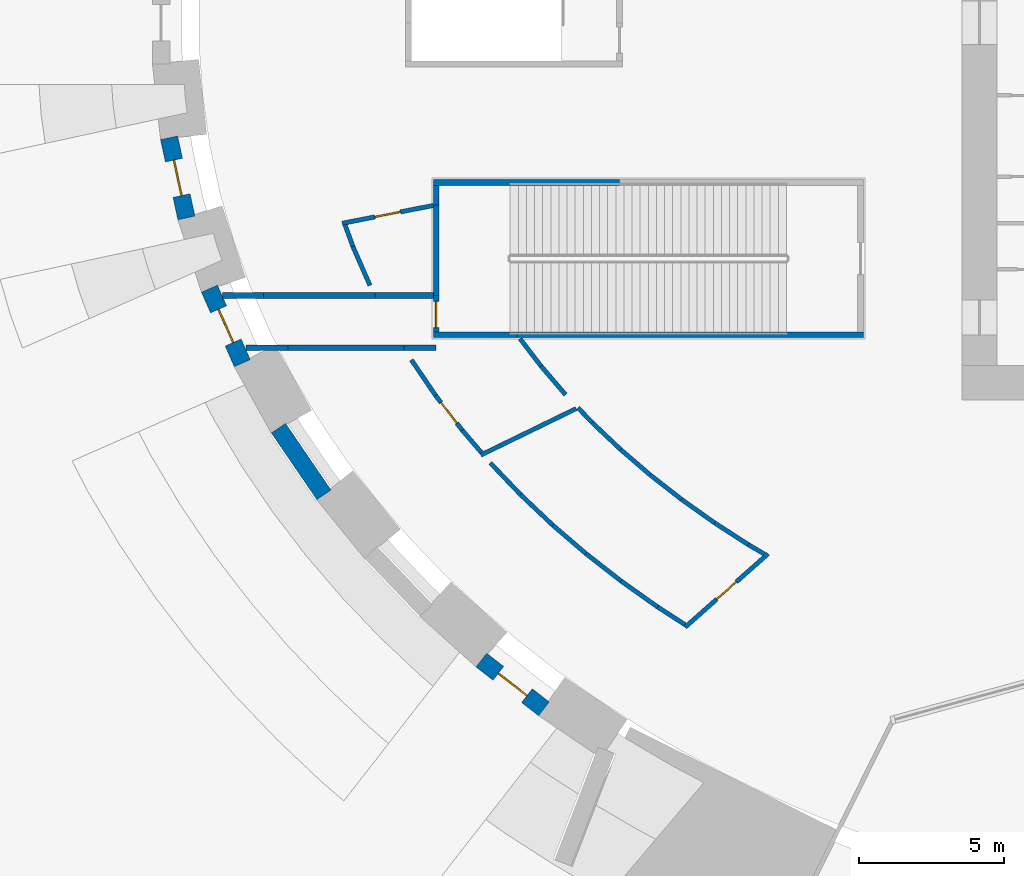
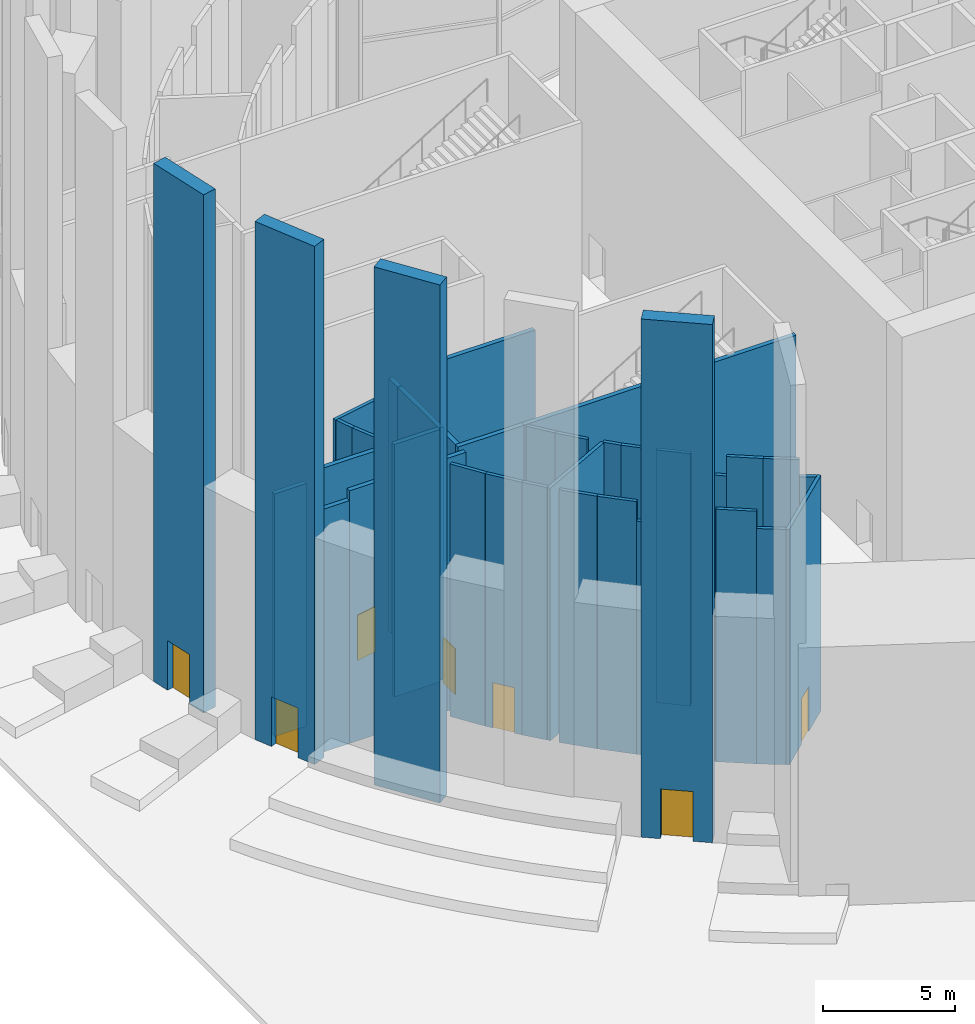
# One storey, part 7 of 25: 39 walls, 7 doors, 7 openings.
"""IFC4 building model written with IfcOpenShell, lengths in metres."""

from ifc_helpers import new_model, si_unit, direction, frame, frame_2d, origin, place, context, subcontext, project, spatial, rectangle, extrude, source, transform, mapped, material, layer, layer_set, type_object, element, fill, save


model = new_model("IFC4")

# Units and contexts
model_context = context("Model", 3, precision=1e-05, world=origin(), true_north=direction((0.0, 1.0)))
body_context = subcontext(model_context, "Body", "Model", "MODEL_VIEW")
ifc_project = project(units=[si_unit("LENGTHUNIT", "METRE"), si_unit("AREAUNIT", "SQUARE_METRE"), si_unit("VOLUMEUNIT", "CUBIC_METRE"), si_unit("PLANEANGLEUNIT", "RADIAN"), si_unit("MASSUNIT", "GRAM", prefix="KILO")], contexts=[model_context])

# Site, building, storey
site_placement = place(None, origin())
site = spatial("IfcSite", under=ifc_project, at=site_placement, CompositionType="ELEMENT")
building_placement = place(site_placement, origin())
building = spatial("IfcBuilding", under=site, at=building_placement, Name="Embergate Tower", CompositionType="ELEMENT")
storey_placement = place(building_placement, origin())
storey = spatial("IfcBuildingStorey", under=building, at=storey_placement, Name="L00", CompositionType="ELEMENT", Elevation=0.0)

# Wall, opening, door
ifc_material_1 = material(Name="Brick masonry, solid, with terracotta coping", Category="masonry")
ifc_layer_1 = layer(ifc_material_1, 0.60009765625)
ifc_layer_set_1 = layer_set([ifc_layer_1], Name="Brick masonry, solid, with terracotta coping")
wall_type_1 = type_object("IfcWallType", Name="Masonry base wall", PredefinedType="SOLIDWALL", material=ifc_layer_set_1)
shared_shape_1 = source(origin(), body_context, "Body", "SweptSolid", [
    extrude(rectangle(XDim=2.734375, YDim=0.60009765625, at=frame_2d((1.3671875, 0.0))), origin(), (0.0, 0.0, 1.0), 24.0),
])
wall_1_placement = place(storey_placement, frame((-28.406005859375, -23.63720703125, 0.0), z_axis=(0.0, 0.0, 1.0), x_axis=(-0.789015561302, 0.614373212325, 0.0)))
wall_1 = element("IfcWall", 1, at=wall_1_placement, inside=storey, type_object=wall_type_1, Name="Masonry base wall 27", PredefinedType="SOLIDWALL", context=body_context, shape_type="MappedRepresentation", body=[
    mapped(shared_shape_1, transform((0.0, 0.0, 0.0))),
])
shared_shape_2 = source(origin(), body_context, "Body", "SweptSolid", [
    extrude(rectangle(XDim=1.25, YDim=2.300048828125, at=frame_2d((0.625, 1.14990234375))), frame((0.0, 0.31005859375, 0.0), z_axis=(0.0, -1.0, 0.0), x_axis=(1.0, 0.0, 0.0)), (0.0, 0.0, 1.0), 0.6201171875),
])
opening_1_placement = place(wall_1_placement, frame((0.7421875, 0.0, 0.0)))
opening_1 = element("IfcOpeningElement", 2, at=opening_1_placement, cuts=wall_1, Name="Opening XD", PredefinedType="OPENING", context=body_context, shape_type="MappedRepresentation", body=[
    mapped(shared_shape_2, transform((0.0, 0.0, 0.0))),
])
ifc_material_2 = material(Name="Aluminium and toughened glass", Category="aluminium")
door_type_1 = type_object("IfcDoorType", Name="Exit door leaf", OperationType="SINGLE_SWING_LEFT", PredefinedType="DOOR", material=ifc_material_2)
shared_shape_3 = source(origin(), body_context, "Body", "SweptSolid", [
    extrude(rectangle(XDim=1.25, YDim=2.300048828125, at=frame_2d((0.625, 1.14990234375))), frame((0.0, 0.02490234375, 0.0), z_axis=(0.0, -1.0, 0.0), x_axis=(1.0, 0.0, 0.0)), (0.0, 0.0, 1.0), 0.050048828125),
])
door_1_placement = place(opening_1_placement, origin())
door_1 = element("IfcDoor", 3, at=door_1_placement, inside=storey, type_object=door_type_1, Name="Exit door ST4 27.1", OperationType="SINGLE_SWING_LEFT", OverallHeight=2.300048828125, OverallWidth=1.25, PredefinedType="DOOR", context=body_context, shape_type="MappedRepresentation", body=[
    mapped(shared_shape_3, transform((0.0, 0.0, 0.0))),
])
fill(opening_1, door_1)

# Wall
shared_shape_4 = source(origin(), body_context, "Body", "SweptSolid", [
    extrude(rectangle(XDim=2.781982421875, YDim=0.60009765625, at=frame_2d((1.39111328125, 0.0))), origin(), (0.0, 0.0, 1.0), 24.0),
])
wall_2_placement = place(storey_placement, frame((-35.98583984375, -16.265380859375, 0.0), z_axis=(0.0, 0.0, 1.0), x_axis=(-0.563478413483, 0.826130787187, 0.0)))
element("IfcWall", 4, at=wall_2_placement, inside=storey, type_object=wall_type_1, Name="Masonry base wall 25", PredefinedType="SOLIDWALL", context=body_context, shape_type="MappedRepresentation", body=[
    mapped(shared_shape_4, transform((0.0, 0.0, 0.0))),
])

# Wall, opening, door
shared_shape_5 = source(origin(), body_context, "Body", "SweptSolid", [
    extrude(rectangle(XDim=2.8076171875, YDim=0.60009765625, at=frame_2d((1.40380859375, 0.0))), origin(), (0.0, 0.0, 1.0), 24.0),
])
wall_3_placement = place(storey_placement, frame((-38.7998046875, -11.730712890625, 0.0), z_axis=(0.0, 0.0, 1.0), x_axis=(-0.402852255888, 0.915265021688, 0.0)))
wall_3 = element("IfcWall", 5, at=wall_3_placement, inside=storey, type_object=wall_type_1, Name="Masonry base wall 24", PredefinedType="SOLIDWALL", context=body_context, shape_type="MappedRepresentation", body=[
    mapped(shared_shape_5, transform((0.0, 0.0, 0.0))),
])
opening_2_placement = place(wall_3_placement, frame((0.77880859375, 0.0, 0.0)))
opening_2 = element("IfcOpeningElement", 6, at=opening_2_placement, cuts=wall_3, Name="Opening XD", PredefinedType="OPENING", context=body_context, shape_type="MappedRepresentation", body=[
    mapped(shared_shape_2, transform((0.0, 0.0, 0.0))),
])
door_2_placement = place(opening_2_placement, origin())
door_2 = element("IfcDoor", 7, at=door_2_placement, inside=storey, type_object=door_type_1, Name="Exit door exit 24.1", OperationType="SINGLE_SWING_LEFT", OverallHeight=2.300048828125, OverallWidth=1.25, PredefinedType="DOOR", context=body_context, shape_type="MappedRepresentation", body=[
    mapped(shared_shape_3, transform((0.0, 0.0, 0.0))),
])
fill(opening_2, door_2)

shared_shape_6 = source(origin(), body_context, "Body", "SweptSolid", [
    extrude(rectangle(XDim=2.827392578125, YDim=0.60009765625, at=frame_2d((1.41357421875, 0.0))), origin(), (0.0, 0.0, 1.0), 24.0),
])
wall_4_placement = place(storey_placement, frame((-40.724365234375, -6.726806640625, 0.0), z_axis=(0.0, 0.0, 1.0), x_axis=(-0.211120984775, 0.977459937689, 0.0)))
wall_4 = element("IfcWall", 8, at=wall_4_placement, inside=storey, type_object=wall_type_1, Name="Masonry base wall 23", PredefinedType="SOLIDWALL", context=body_context, shape_type="MappedRepresentation", body=[
    mapped(shared_shape_6, transform((0.0, 0.0, 0.0))),
])
opening_3_placement = place(wall_4_placement, frame((0.788818359375, 0.0, 0.0)))
opening_3 = element("IfcOpeningElement", 9, at=opening_3_placement, cuts=wall_4, Name="Opening XD", PredefinedType="OPENING", context=body_context, shape_type="MappedRepresentation", body=[
    mapped(shared_shape_2, transform((0.0, 0.0, 0.0))),
])
door_3_placement = place(opening_3_placement, origin())
door_3 = element("IfcDoor", 10, at=door_3_placement, inside=storey, type_object=door_type_1, Name="Exit door exit 23.1", OperationType="SINGLE_SWING_LEFT", OverallHeight=2.300048828125, OverallWidth=1.25, PredefinedType="DOOR", context=body_context, shape_type="MappedRepresentation", body=[
    mapped(shared_shape_3, transform((0.0, 0.0, 0.0))),
])
fill(opening_3, door_3)

# Walls
ifc_material_3 = material(Name="Blockwork, plastered", Category="masonry")
ifc_layer_2 = layer(ifc_material_3, 0.199951171875)
ifc_layer_set_2 = layer_set([ifc_layer_2], Name="Blockwork, plastered")
wall_type_2 = type_object("IfcWallType", Name="Fire partition wall 200 block", PredefinedType="PARTITIONING", material=ifc_layer_set_2)
shared_shape_7 = source(origin(), body_context, "Body", "SweptSolid", [
    extrude(rectangle(XDim=1.408203125, YDim=0.199951171875, at=frame_2d((0.7041015625, 0.0))), origin(), (0.0, 0.0, 1.0), 11.25),
])
wall_5_placement = place(storey_placement, frame((-39.47509765625, -9.39990234375, 0.0), z_axis=(0.0, 0.0, 1.0), x_axis=(1.0, 0.0, 0.0)))
element("IfcWall", 11, at=wall_5_placement, inside=storey, type_object=wall_type_2, Name="Partition 001", PredefinedType="PARTITIONING", context=body_context, shape_type="MappedRepresentation", body=[
    mapped(shared_shape_7, transform((0.0, 0.0, 0.0))),
])
shared_shape_8 = source(origin(), body_context, "Body", "SweptSolid", [
    extrude(rectangle(XDim=1.449951171875, YDim=0.199951171875, at=frame_2d((0.72509765625, 0.0))), origin(), (0.0, 0.0, 1.0), 11.25),
])
wall_6_placement = place(storey_placement, frame((-37.22607421875, -11.199951171875, 0.0), z_axis=(0.0, 0.0, 1.0), x_axis=(-1.0, 0.0, 0.0)))
element("IfcWall", 12, at=wall_6_placement, inside=storey, type_object=wall_type_2, Name="Partition 005", PredefinedType="PARTITIONING", context=body_context, shape_type="MappedRepresentation", body=[
    mapped(shared_shape_8, transform((0.0, 0.0, 0.0))),
])
shared_shape_9 = source(origin(), body_context, "Body", "SweptSolid", [
    extrude(rectangle(XDim=3.847900390625, YDim=0.199951171875, at=frame_2d((1.923828125, 0.0))), origin(), (0.0, 0.0, 1.0), 11.699951171875),
])
wall_7_placement = place(storey_placement, frame((-38.06689453125, -9.39990234375, 0.0), z_axis=(0.0, 0.0, 1.0), x_axis=(1.0, 0.0, 0.0)))
element("IfcWall", 13, at=wall_7_placement, inside=storey, type_object=wall_type_2, Name="Partition 003", PredefinedType="PARTITIONING", context=body_context, shape_type="MappedRepresentation", body=[
    mapped(shared_shape_9, transform((0.0, 0.0, 0.0))),
])
shared_shape_10 = source(origin(), body_context, "Body", "SweptSolid", [
    extrude(rectangle(XDim=4.005126953125, YDim=0.199951171875, at=frame_2d((2.00244140625, 0.0))), origin(), (0.0, 0.0, 1.0), 11.699951171875),
])
wall_8_placement = place(storey_placement, frame((-33.220947265625, -11.199951171875, 0.0), z_axis=(0.0, 0.0, 1.0), x_axis=(-1.0, 0.0, 0.0)))
element("IfcWall", 14, at=wall_8_placement, inside=storey, type_object=wall_type_2, Name="Partition 014", PredefinedType="PARTITIONING", context=body_context, shape_type="MappedRepresentation", body=[
    mapped(shared_shape_10, transform((0.0, 0.0, 0.0))),
])

# Wall, opening, door
ifc_material_4 = material(Name="Plasterboard on steel stud", Category="steel")
ifc_layer_3 = layer(ifc_material_4, 0.14990234375)
ifc_layer_set_3 = layer_set([ifc_layer_3], Name="Plasterboard on steel stud")
wall_type_3 = type_object("IfcWallType", Name="Partition wall 150 board", PredefinedType="PARTITIONING", material=ifc_layer_set_3)
shared_shape_11 = source(origin(), body_context, "Body", "SweptSolid", [
    extrude(rectangle(XDim=3.199462890625, YDim=0.14990234375, at=frame_2d((1.599609375, 0.0))), origin(), (0.0, 0.0, 1.0), 11.699951171875),
])
wall_9_placement = place(storey_placement, frame((-35.35791015625, -6.909912109375, 0.0), z_axis=(0.0, 0.0, 1.0), x_axis=(0.98141109372, 0.191917339298, 0.0)))
wall_9 = element("IfcWall", 15, at=wall_9_placement, inside=storey, type_object=wall_type_3, Name="Partition 007", PredefinedType="PARTITIONING", context=body_context, shape_type="MappedRepresentation", body=[
    mapped(shared_shape_11, transform((0.0, 0.0, 0.0))),
])
shared_shape_12 = source(origin(), body_context, "Body", "SweptSolid", [
    extrude(rectangle(XDim=0.89990234375, YDim=2.10009765625, at=frame_2d((0.449951171875, 1.050048828125))), frame((0.0, 0.0849609375, 0.0), z_axis=(0.0, -1.0, 0.0), x_axis=(1.0, 0.0, 0.0)), (0.0, 0.0, 1.0), 0.169921875),
])
opening_4_placement = place(wall_9_placement, frame((1.14892578125, 0.0, 0.0)))
opening_4 = element("IfcOpeningElement", 16, at=opening_4_placement, cuts=wall_9, Name="Opening DS-012", PredefinedType="OPENING", context=body_context, shape_type="MappedRepresentation", body=[
    mapped(shared_shape_12, transform((0.0, 0.0, 0.0))),
])
ifc_material_5 = material(Name="Timber door leaf, steel frame", Category="steel")
door_type_2 = type_object("IfcDoorType", Name="Single door 900x2100", OperationType="SINGLE_SWING_LEFT", PredefinedType="DOOR", material=ifc_material_5)
shared_shape_13 = source(origin(), body_context, "Body", "SweptSolid", [
    extrude(rectangle(XDim=0.89990234375, YDim=2.10009765625, at=frame_2d((0.449951171875, 1.050048828125))), frame((0.0, 0.02490234375, 0.0), z_axis=(0.0, -1.0, 0.0), x_axis=(1.0, 0.0, 0.0)), (0.0, 0.0, 1.0), 0.050048828125),
])
door_4_placement = place(opening_4_placement, origin())
door_4 = element("IfcDoor", 17, at=door_4_placement, inside=storey, type_object=door_type_2, Name="Door to Tea kiosk", OperationType="SINGLE_SWING_LEFT", OverallHeight=2.10009765625, OverallWidth=0.89990234375, PredefinedType="DOOR", context=body_context, shape_type="MappedRepresentation", body=[
    mapped(shared_shape_13, transform((0.0, 0.0, 0.0))),
])
fill(opening_4, door_4)

# Walls
shared_shape_14 = source(origin(), body_context, "Body", "SweptSolid", [
    extrude(rectangle(XDim=0.79443359375, YDim=0.14990234375, at=frame_2d((0.397216796875, 0.0))), origin(), (0.0, 0.0, 1.0), 11.699951171875),
])
wall_10_placement = place(storey_placement, frame((-34.987060546875, -7.712890625, 0.0), z_axis=(0.0, 0.0, 1.0), x_axis=(-0.341101469558, 0.940026482321, 0.0)))
element("IfcWall", 18, at=wall_10_placement, inside=storey, type_object=wall_type_3, Name="Partition 009", PredefinedType="PARTITIONING", context=body_context, shape_type="MappedRepresentation", body=[
    mapped(shared_shape_14, transform((0.0, 0.0, 0.0))),
])
shared_shape_15 = source(origin(), body_context, "Body", "SweptSolid", [
    extrude(rectangle(XDim=1.458984375, YDim=0.14990234375, at=frame_2d((0.7294921875, 0.0))), origin(), (0.0, 0.0, 1.0), 11.699951171875),
])
wall_11_placement = place(storey_placement, frame((-34.40087890625, -9.049072265625, 0.0), z_axis=(0.0, 0.0, 1.0), x_axis=(-0.401740274044, 0.915753652579, 0.0)))
element("IfcWall", 19, at=wall_11_placement, inside=storey, type_object=wall_type_3, Name="Partition 011", PredefinedType="PARTITIONING", context=body_context, shape_type="MappedRepresentation", body=[
    mapped(shared_shape_15, transform((0.0, 0.0, 0.0))),
])
shared_shape_16 = source(origin(), body_context, "Body", "SweptSolid", [
    extrude(rectangle(XDim=1.9990234375, YDim=0.199951171875, at=frame_2d((0.99951171875, 0.0))), origin(), (0.0, 0.0, 1.0), 11.699951171875),
])
wall_12_placement = place(storey_placement, frame((-34.218994140625, -9.39990234375, 0.0), z_axis=(0.0, 0.0, 1.0), x_axis=(1.0, 0.0, 0.0)))
element("IfcWall", 20, at=wall_12_placement, inside=storey, type_object=wall_type_2, Name="Partition 012", PredefinedType="PARTITIONING", context=body_context, shape_type="MappedRepresentation", body=[
    mapped(shared_shape_16, transform((0.0, 0.0, 0.0))),
])
shared_shape_17 = source(origin(), body_context, "Body", "SweptSolid", [
    extrude(rectangle(XDim=1.100830078125, YDim=0.199951171875, at=frame_2d((0.55029296875, 0.0))), origin(), (0.0, 0.0, 1.0), 11.699951171875),
])
wall_13_placement = place(storey_placement, frame((-32.1201171875, -11.199951171875, 0.0), z_axis=(0.0, 0.0, 1.0), x_axis=(-1.0, 0.0, 0.0)))
element("IfcWall", 21, at=wall_13_placement, inside=storey, type_object=wall_type_2, Name="Partition 022", PredefinedType="PARTITIONING", context=body_context, shape_type="MappedRepresentation", body=[
    mapped(shared_shape_17, transform((0.0, 0.0, 0.0))),
])
shared_shape_18 = source(origin(), body_context, "Body", "SweptSolid", [
    extrude(rectangle(XDim=1.48291015625, YDim=0.14990234375, at=frame_2d((0.741455078125, 0.0))), origin(), (0.0, 0.0, 1.0), 11.699951171875),
])
wall_14_placement = place(storey_placement, frame((-32.138916015625, -12.842041015625, 0.0), z_axis=(0.0, 0.0, 1.0), x_axis=(-0.56242710462, 0.826846873362, 0.0)))
element("IfcWall", 22, at=wall_14_placement, inside=storey, type_object=wall_type_3, Name="Partition 020", PredefinedType="PARTITIONING", context=body_context, shape_type="MappedRepresentation", body=[
    mapped(shared_shape_18, transform((0.0, 0.0, 0.0))),
])

# Wall, opening, door
shared_shape_19 = source(origin(), body_context, "Body", "SweptSolid", [
    extrude(rectangle(XDim=1.509765625, YDim=0.14990234375, at=frame_2d((0.7548828125, 0.0))), origin(), (0.0, 0.0, 1.0), 11.699951171875),
])
wall_15_placement = place(storey_placement, frame((-31.219970703125, -14.0400390625, 0.0), z_axis=(0.0, 0.0, 1.0), x_axis=(-0.608631808194, 0.793452785019, 0.0)))
wall_15 = element("IfcWall", 23, at=wall_15_placement, inside=storey, type_object=wall_type_3, Name="Partition 033", PredefinedType="PARTITIONING", context=body_context, shape_type="MappedRepresentation", body=[
    mapped(shared_shape_19, transform((0.0, 0.0, 0.0))),
])
opening_5_placement = place(wall_15_placement, frame((0.304931640625, 0.0, 0.0)))
opening_5 = element("IfcOpeningElement", 24, at=opening_5_placement, cuts=wall_15, Name="Opening DS-013", PredefinedType="OPENING", context=body_context, shape_type="MappedRepresentation", body=[
    mapped(shared_shape_12, transform((0.0, 0.0, 0.0))),
])
door_5_placement = place(opening_5_placement, origin())
door_5 = element("IfcDoor", 25, at=door_5_placement, inside=storey, type_object=door_type_2, Name="Door to Tea kiosk", OperationType="SINGLE_SWING_LEFT", OverallHeight=2.10009765625, OverallWidth=0.89990234375, PredefinedType="DOOR", context=body_context, shape_type="MappedRepresentation", body=[
    mapped(shared_shape_13, transform((0.0, 0.0, 0.0))),
])
fill(opening_5, door_5)

# Wall
ifc_material_6 = material(Name="Concrete C40", Category="concrete")
ifc_layer_4 = layer(ifc_material_6, 0.199951171875)
ifc_layer_set_4 = layer_set([ifc_layer_4], Name="Concrete C40")
wall_type_4 = type_object("IfcWallType", Name="Stair enclosure wall RC 200", PredefinedType="STANDARD", material=ifc_layer_set_4)
shared_shape_20 = source(origin(), body_context, "Body", "SweptSolid", [
    extrude(rectangle(XDim=2.888916015625, YDim=0.199951171875, at=frame_2d((1.4443359375, 0.0))), origin(), (0.0, 0.0, 1.0), 11.699951171875),
])
wall_16_placement = place(storey_placement, frame((-32.219970703125, -10.75, 0.0), z_axis=(0.0, 0.0, 1.0), x_axis=(1.0, 0.0, 0.0)))
element("IfcWall", 26, at=wall_16_placement, inside=storey, type_object=wall_type_4, Name="Stair wall 023", PredefinedType="STANDARD", context=body_context, shape_type="MappedRepresentation", body=[
    mapped(shared_shape_20, transform((0.0, 0.0, 0.0))),
])

# Wall, opening, door
shared_shape_21 = source(origin(), body_context, "Body", "SweptSolid", [
    extrude(rectangle(XDim=1.25, YDim=0.199951171875, at=frame_2d((0.625, 0.0))), origin(), (0.0, 0.0, 1.0), 11.699951171875),
])
wall_17_placement = place(storey_placement, frame((-32.1201171875, -9.39990234375, 0.0), z_axis=(0.0, 0.0, 1.0), x_axis=(0.0, -1.0, 0.0)))
wall_17 = element("IfcWall", 27, at=wall_17_placement, inside=storey, type_object=wall_type_4, Name="Stair wall 024", PredefinedType="STANDARD", context=body_context, shape_type="MappedRepresentation", body=[
    mapped(shared_shape_21, transform((0.0, 0.0, 0.0))),
])
shared_shape_22 = source(origin(), body_context, "Body", "SweptSolid", [
    extrude(rectangle(XDim=0.89990234375, YDim=2.10009765625, at=frame_2d((0.449951171875, 1.050048828125))), frame((0.0, 0.10986328125, 0.0), z_axis=(0.0, -1.0, 0.0), x_axis=(1.0, 0.0, 0.0)), (0.0, 0.0, 1.0), 0.219970703125),
])
opening_6_placement = place(wall_17_placement, frame((0.199951171875, 0.0, 0.0)))
opening_6 = element("IfcOpeningElement", 28, at=opening_6_placement, cuts=wall_17, Name="Opening DS-003", PredefinedType="OPENING", context=body_context, shape_type="MappedRepresentation", body=[
    mapped(shared_shape_22, transform((0.0, 0.0, 0.0))),
])
door_6_placement = place(opening_6_placement, origin())
door_6 = element("IfcDoor", 29, at=door_6_placement, inside=storey, type_object=door_type_2, Name="Door to Stair exit passage", OperationType="SINGLE_SWING_LEFT", OverallHeight=2.10009765625, OverallWidth=0.89990234375, PredefinedType="DOOR", context=body_context, shape_type="MappedRepresentation", body=[
    mapped(shared_shape_13, transform((0.0, 0.0, 0.0))),
])
fill(opening_6, door_6)

# Walls
shared_shape_23 = source(origin(), body_context, "Body", "SweptSolid", [
    extrude(rectangle(XDim=3.122802734375, YDim=0.199951171875, at=frame_2d((1.5615234375, 0.0))), origin(), (0.0, 0.0, 1.0), 11.699951171875),
])
wall_18_placement = place(storey_placement, frame((-32.1201171875, -6.277099609375, 0.0), z_axis=(0.0, 0.0, 1.0), x_axis=(0.0, -1.0, 0.0)))
element("IfcWall", 30, at=wall_18_placement, inside=storey, type_object=wall_type_4, Name="Stair wall 025", PredefinedType="STANDARD", context=body_context, shape_type="MappedRepresentation", body=[
    mapped(shared_shape_23, transform((0.0, 0.0, 0.0))),
])
shared_shape_24 = source(origin(), body_context, "Body", "SweptSolid", [
    extrude(rectangle(XDim=0.677001953125, YDim=0.199951171875, at=frame_2d((0.33837890625, 0.0))), origin(), (0.0, 0.0, 1.0), 11.699951171875),
])
wall_19_placement = place(storey_placement, frame((-32.1201171875, -6.277099609375, 0.0), z_axis=(0.0, 0.0, 1.0), x_axis=(0.0, 1.0, 0.0)))
element("IfcWall", 31, at=wall_19_placement, inside=storey, type_object=wall_type_4, Name="Stair wall 026", PredefinedType="STANDARD", context=body_context, shape_type="MappedRepresentation", body=[
    mapped(shared_shape_24, transform((0.0, 0.0, 0.0))),
])
shared_shape_25 = source(origin(), body_context, "Body", "SweptSolid", [
    extrude(rectangle(XDim=6.419921875, YDim=0.199951171875, at=frame_2d((3.2099609375, 0.0))), origin(), (0.0, 0.0, 1.0), 11.699951171875),
])
wall_20_placement = place(storey_placement, frame((-32.219970703125, -5.5, 0.0), z_axis=(0.0, 0.0, 1.0), x_axis=(1.0, 0.0, 0.0)))
element("IfcWall", 32, at=wall_20_placement, inside=storey, type_object=wall_type_4, Name="Stair wall 027", PredefinedType="STANDARD", context=body_context, shape_type="MappedRepresentation", body=[
    mapped(shared_shape_25, transform((0.0, 0.0, 0.0))),
])
shared_shape_26 = source(origin(), body_context, "Body", "SweptSolid", [
    extrude(rectangle(XDim=1.0068359375, YDim=0.14990234375, at=frame_2d((0.50341796875, 0.0))), origin(), (0.0, 0.0, 1.0), 11.699951171875),
])
wall_21_placement = place(storey_placement, frame((-30.56396484375, -14.803955078125, 0.0), z_axis=(0.0, 0.0, 1.0), x_axis=(-0.651489952996, 0.758657261974, 0.0)))
element("IfcWall", 33, at=wall_21_placement, inside=storey, type_object=wall_type_3, Name="Partition 035", PredefinedType="PARTITIONING", context=body_context, shape_type="MappedRepresentation", body=[
    mapped(shared_shape_26, transform((0.0, 0.0, 0.0))),
])
shared_shape_27 = source(origin(), body_context, "Body", "SweptSolid", [
    extrude(rectangle(XDim=11.93115234375, YDim=0.199951171875, at=frame_2d((5.965576171875, 0.0))), origin(), (0.0, 0.0, 1.0), 11.699951171875),
])
wall_22_placement = place(storey_placement, frame((-17.39990234375, -10.75, 0.0), z_axis=(0.0, 0.0, 1.0), x_axis=(-1.0, 0.0, 0.0)))
element("IfcWall", 34, at=wall_22_placement, inside=storey, type_object=wall_type_4, Name="Stair wall 077", PredefinedType="STANDARD", context=body_context, shape_type="MappedRepresentation", body=[
    mapped(shared_shape_27, transform((0.0, 0.0, 0.0))),
])
shared_shape_28 = source(origin(), body_context, "Body", "SweptSolid", [
    extrude(rectangle(XDim=1.192626953125, YDim=0.14990234375, at=frame_2d((0.59619140625, 0.0))), origin(), (0.0, 0.0, 1.0), 11.699951171875),
])
wall_23_placement = place(storey_placement, frame((-29.22998046875, -10.885986328125, 0.0), z_axis=(0.0, 0.0, 1.0), x_axis=(0.608839758708, -0.793293229655, 0.0)))
element("IfcWall", 35, at=wall_23_placement, inside=storey, type_object=wall_type_3, Name="Partition 039", PredefinedType="PARTITIONING", context=body_context, shape_type="MappedRepresentation", body=[
    mapped(shared_shape_28, transform((0.0, 0.0, 0.0))),
])
shared_shape_29 = source(origin(), body_context, "Body", "SweptSolid", [
    extrude(rectangle(XDim=1.5078125, YDim=0.14990234375, at=frame_2d((0.75390625, 0.0))), origin(), (0.0, 0.0, 1.0), 11.699951171875),
])
wall_24_placement = place(storey_placement, frame((-29.215087890625, -16.25390625, 0.0), z_axis=(0.0, 0.0, 1.0), x_axis=(-0.690398724504, 0.723429057478, 0.0)))
element("IfcWall", 36, at=wall_24_placement, inside=storey, type_object=wall_type_3, Name="Partition 040", PredefinedType="PARTITIONING", context=body_context, shape_type="MappedRepresentation", body=[
    mapped(shared_shape_29, transform((0.0, 0.0, 0.0))),
])
shared_shape_30 = source(origin(), body_context, "Body", "SweptSolid", [
    extrude(rectangle(XDim=1.294921875, YDim=0.14990234375, at=frame_2d((0.6474609375, 0.0))), origin(), (0.0, 0.0, 1.0), 11.699951171875),
])
wall_25_placement = place(storey_placement, frame((-28.50390625, -11.83203125, 0.0), z_axis=(0.0, 0.0, 1.0), x_axis=(0.651024243625, -0.759056937398, 0.0)))
element("IfcWall", 37, at=wall_25_placement, inside=storey, type_object=wall_type_3, Name="Partition 042", PredefinedType="PARTITIONING", context=body_context, shape_type="MappedRepresentation", body=[
    mapped(shared_shape_30, transform((0.0, 0.0, 0.0))),
])
shared_shape_31 = source(origin(), body_context, "Body", "SweptSolid", [
    extrude(rectangle(XDim=1.53515625, YDim=0.14990234375, at=frame_2d((0.767578125, 0.0))), origin(), (0.0, 0.0, 1.0), 11.699951171875),
])
wall_26_placement = place(storey_placement, frame((-28.10107421875, -17.31005859375, 0.0), z_axis=(0.0, 0.0, 1.0), x_axis=(-0.72570188564, 0.68800928277, 0.0)))
element("IfcWall", 38, at=wall_26_placement, inside=storey, type_object=wall_type_3, Name="Partition 044", PredefinedType="PARTITIONING", context=body_context, shape_type="MappedRepresentation", body=[
    mapped(shared_shape_31, transform((0.0, 0.0, 0.0))),
])
shared_shape_32 = source(origin(), body_context, "Body", "SweptSolid", [
    extrude(rectangle(XDim=3.6494140625, YDim=0.14990234375, at=frame_2d((1.82470703125, 0.0))), origin(), (0.0, 0.0, 1.0), 11.699951171875),
])
wall_27_placement = place(storey_placement, frame((-27.301025390625, -13.2958984375, 0.0), z_axis=(0.0, 0.0, 1.0), x_axis=(-0.899021608529, -0.437904267388, 0.0)))
element("IfcWall", 39, at=wall_27_placement, inside=storey, type_object=wall_type_3, Name="Partition 047", PredefinedType="PARTITIONING", context=body_context, shape_type="MappedRepresentation", body=[
    mapped(shared_shape_32, transform((0.0, 0.0, 0.0))),
])
shared_shape_33 = source(origin(), body_context, "Body", "SweptSolid", [
    extrude(rectangle(XDim=0.707763671875, YDim=0.14990234375, at=frame_2d((0.35400390625, 0.0))), origin(), (0.0, 0.0, 1.0), 11.699951171875),
])
wall_28_placement = place(storey_placement, frame((-27.23388671875, -13.262939453125, 0.0), z_axis=(0.0, 0.0, 1.0), x_axis=(0.690533169303, -0.723300727286, 0.0)))
element("IfcWall", 40, at=wall_28_placement, inside=storey, type_object=wall_type_3, Name="Partition 048", PredefinedType="PARTITIONING", context=body_context, shape_type="MappedRepresentation", body=[
    mapped(shared_shape_33, transform((0.0, 0.0, 0.0))),
])
shared_shape_34 = source(origin(), body_context, "Body", "SweptSolid", [
    extrude(rectangle(XDim=1.50341796875, YDim=0.14990234375, at=frame_2d((0.751708984375, 0.0))), origin(), (0.0, 0.0, 1.0), 10.800048828125),
])
wall_29_placement = place(storey_placement, frame((-26.9599609375, -18.2890625, 0.0), z_axis=(0.0, 0.0, 1.0), x_axis=(-0.758958509903, 0.651138986888, 0.0)))
element("IfcWall", 41, at=wall_29_placement, inside=storey, type_object=wall_type_3, Name="Partition 051", PredefinedType="PARTITIONING", context=body_context, shape_type="MappedRepresentation", body=[
    mapped(shared_shape_34, transform((0.0, 0.0, 0.0))),
])
shared_shape_35 = source(origin(), body_context, "Body", "SweptSolid", [
    extrude(rectangle(XDim=1.35888671875, YDim=0.14990234375, at=frame_2d((0.679443359375, 0.0))), origin(), (0.0, 0.0, 1.0), 11.699951171875),
])
wall_30_placement = place(storey_placement, frame((-26.7451171875, -13.77490234375, 0.0), z_axis=(0.0, 0.0, 1.0), x_axis=(0.726330235595, -0.687345901901, 0.0)))
element("IfcWall", 42, at=wall_30_placement, inside=storey, type_object=wall_type_3, Name="Partition 053", PredefinedType="PARTITIONING", context=body_context, shape_type="MappedRepresentation", body=[
    mapped(shared_shape_35, transform((0.0, 0.0, 0.0))),
])
shared_shape_36 = source(origin(), body_context, "Body", "SweptSolid", [
    extrude(rectangle(XDim=1.33837890625, YDim=0.14990234375, at=frame_2d((0.669189453125, 0.0))), origin(), (0.0, 0.0, 1.0), 11.699951171875),
])
wall_31_placement = place(storey_placement, frame((-25.758056640625, -14.708984375, 0.0), z_axis=(0.0, 0.0, 1.0), x_axis=(0.758535009676, -0.651632288255, 0.0)))
element("IfcWall", 43, at=wall_31_placement, inside=storey, type_object=wall_type_3, Name="Partition 059", PredefinedType="PARTITIONING", context=body_context, shape_type="MappedRepresentation", body=[
    mapped(shared_shape_36, transform((0.0, 0.0, 0.0))),
])
shared_shape_37 = source(origin(), body_context, "Body", "SweptSolid", [
    extrude(rectangle(XDim=1.52978515625, YDim=0.14990234375, at=frame_2d((0.764892578125, 0.0))), origin(), (0.0, 0.0, 1.0), 11.699951171875),
])
wall_32_placement = place(storey_placement, frame((-25.75390625, -19.22998046875, 0.0), z_axis=(0.0, 0.0, 1.0), x_axis=(-0.788440381809, 0.615111180464, 0.0)))
element("IfcWall", 44, at=wall_32_placement, inside=storey, type_object=wall_type_3, Name="Partition 061", PredefinedType="PARTITIONING", context=body_context, shape_type="MappedRepresentation", body=[
    mapped(shared_shape_37, transform((0.0, 0.0, 0.0))),
])
shared_shape_38 = source(origin(), body_context, "Body", "SweptSolid", [
    extrude(rectangle(XDim=1.3671875, YDim=0.14990234375, at=frame_2d((0.68359375, 0.0))), origin(), (0.0, 0.0, 1.0), 10.800048828125),
])
wall_33_placement = place(storey_placement, frame((-24.742919921875, -15.5810546875, 0.0), z_axis=(0.0, 0.0, 1.0), x_axis=(0.788389714652, -0.61517611936, 0.0)))
element("IfcWall", 45, at=wall_33_placement, inside=storey, type_object=wall_type_3, Name="Partition 063", PredefinedType="PARTITIONING", context=body_context, shape_type="MappedRepresentation", body=[
    mapped(shared_shape_38, transform((0.0, 0.0, 0.0))),
])
shared_shape_39 = source(origin(), body_context, "Body", "SweptSolid", [
    extrude(rectangle(XDim=1.553466796875, YDim=0.14990234375, at=frame_2d((0.77685546875, 0.0))), origin(), (0.0, 0.0, 1.0), 11.699951171875),
])
wall_34_placement = place(storey_placement, frame((-24.487060546875, -20.12890625, 0.0), z_axis=(0.0, 0.0, 1.0), x_axis=(-0.81554542889, 0.578693056306, 0.0)))
element("IfcWall", 46, at=wall_34_placement, inside=storey, type_object=wall_type_3, Name="Partition 065", PredefinedType="PARTITIONING", context=body_context, shape_type="MappedRepresentation", body=[
    mapped(shared_shape_39, transform((0.0, 0.0, 0.0))),
])
shared_shape_40 = source(origin(), body_context, "Body", "SweptSolid", [
    extrude(rectangle(XDim=1.397216796875, YDim=0.14990234375, at=frame_2d((0.69873046875, 0.0))), origin(), (0.0, 0.0, 1.0), 11.699951171875),
])
wall_35_placement = place(storey_placement, frame((-23.6650390625, -16.422119140625, 0.0), z_axis=(0.0, 0.0, 1.0), x_axis=(0.815371436095, -0.578938184265, 0.0)))
element("IfcWall", 47, at=wall_35_placement, inside=storey, type_object=wall_type_3, Name="Partition 067", PredefinedType="PARTITIONING", context=body_context, shape_type="MappedRepresentation", body=[
    mapped(shared_shape_40, transform((0.0, 0.0, 0.0))),
])
shared_shape_41 = source(origin(), body_context, "Body", "SweptSolid", [
    extrude(rectangle(XDim=1.114501953125, YDim=0.14990234375, at=frame_2d((0.55712890625, 0.0))), origin(), (0.0, 0.0, 1.0), 10.89990234375),
])
wall_36_placement = place(storey_placement, frame((-23.551025390625, -20.73388671875, 0.0), z_axis=(0.0, 0.0, 1.0), x_axis=(-0.839852142467, 0.54281523449, 0.0)))
element("IfcWall", 48, at=wall_36_placement, inside=storey, type_object=wall_type_3, Name="Partition 069", PredefinedType="PARTITIONING", context=body_context, shape_type="MappedRepresentation", body=[
    mapped(shared_shape_41, transform((0.0, 0.0, 0.0))),
])
shared_shape_42 = source(origin(), body_context, "Body", "SweptSolid", [
    extrude(rectangle(XDim=1.375732421875, YDim=0.14990234375, at=frame_2d((0.68798828125, 0.0))), origin(), (0.0, 0.0, 1.0), 11.699951171875),
])
wall_37_placement = place(storey_placement, frame((-22.52587890625, -17.23095703125, 0.0), z_axis=(0.0, 0.0, 1.0), x_axis=(0.840150572034, -0.542353220983, 0.0)))
element("IfcWall", 49, at=wall_37_placement, inside=storey, type_object=wall_type_3, Name="Partition 071", PredefinedType="PARTITIONING", context=body_context, shape_type="MappedRepresentation", body=[
    mapped(shared_shape_42, transform((0.0, 0.0, 0.0))),
])
shared_shape_43 = source(origin(), body_context, "Body", "SweptSolid", [
    extrude(rectangle(XDim=0.643798828125, YDim=0.14990234375, at=frame_2d((0.32177734375, 0.0))), origin(), (0.0, 0.0, 1.0), 10.89990234375),
])
wall_38_placement = place(storey_placement, frame((-21.3701171875, -17.97705078125, 0.0), z_axis=(0.0, 0.0, 1.0), x_axis=(0.862372592271, -0.506274147177, 0.0)))
element("IfcWall", 50, at=wall_38_placement, inside=storey, type_object=wall_type_3, Name="Partition 073", PredefinedType="PARTITIONING", context=body_context, shape_type="MappedRepresentation", body=[
    mapped(shared_shape_43, transform((0.0, 0.0, 0.0))),
])

# Wall, opening, door
shared_shape_44 = source(origin(), body_context, "Body", "SweptSolid", [
    extrude(rectangle(XDim=3.816162109375, YDim=0.14990234375, at=frame_2d((1.908203125, 0.0))), origin(), (0.0, 0.0, 1.0), 10.89990234375),
])
wall_39_placement = place(storey_placement, frame((-20.68603515625, -18.2958984375, 0.0), z_axis=(0.0, 0.0, 1.0), x_axis=(-0.74887932709, -0.662706385557, 0.0)))
wall_39 = element("IfcWall", 51, at=wall_39_placement, inside=storey, type_object=wall_type_3, Name="Partition 075", PredefinedType="PARTITIONING", context=body_context, shape_type="MappedRepresentation", body=[
    mapped(shared_shape_44, transform((0.0, 0.0, 0.0))),
])
opening_7_placement = place(wall_39_placement, frame((1.4580078125, 0.0, 0.0)))
opening_7 = element("IfcOpeningElement", 52, at=opening_7_placement, cuts=wall_39, Name="Opening DS-014", PredefinedType="OPENING", context=body_context, shape_type="MappedRepresentation", body=[
    mapped(shared_shape_12, transform((0.0, 0.0, 0.0))),
])
door_7_placement = place(opening_7_placement, origin())
door_7 = element("IfcDoor", 53, at=door_7_placement, inside=storey, type_object=door_type_2, Name="Door to Retail kiosk", OperationType="SINGLE_SWING_LEFT", OverallHeight=2.10009765625, OverallWidth=0.89990234375, PredefinedType="DOOR", context=body_context, shape_type="MappedRepresentation", body=[
    mapped(shared_shape_13, transform((0.0, 0.0, 0.0))),
])
fill(opening_7, door_7)

save(model, "model.ifc")
